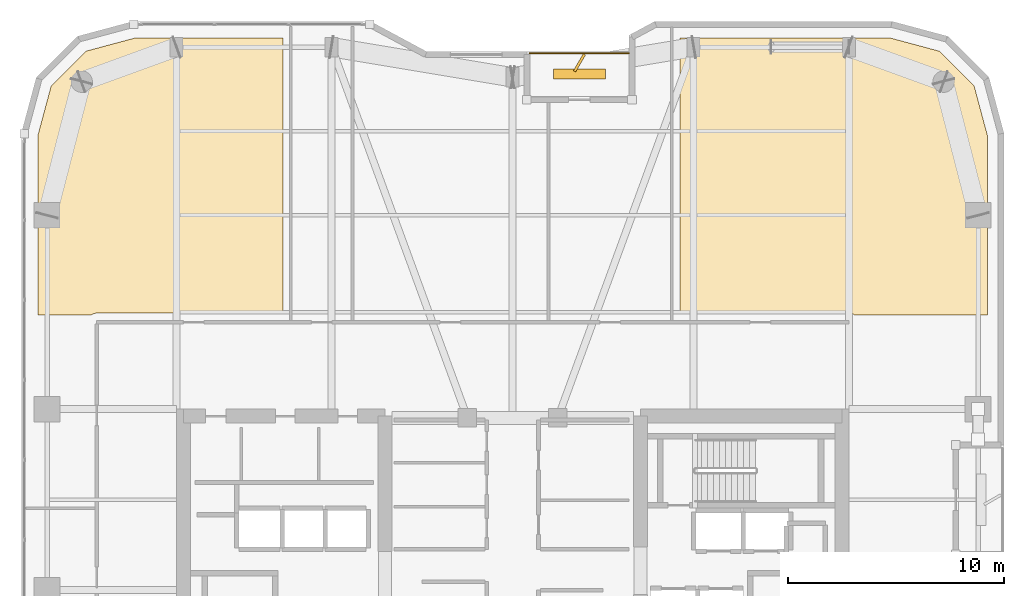
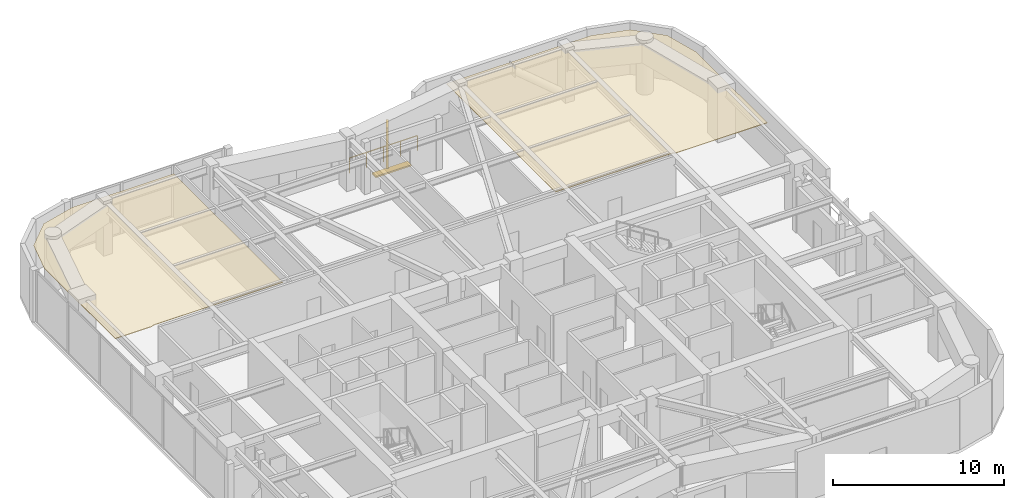
# One storey, part 21 of 21: 2 coverings, 2 shading devices, 1 railing.
"""IFC4 building model written with IfcOpenShell, lengths in metres."""

from ifc_helpers import new_model, si_unit, direction, frame, origin, origin_2d, place, context, subcontext, project, spatial, polyline, rectangle, outline, extrude, material, layer, layer_set, type_object, element, save


model = new_model("IFC4")

# Units and contexts
model_context = context("Model", 3, precision=1e-05, world=origin(), true_north=direction((0.0, 1.0)))
body_context = subcontext(model_context, "Body", "Model", "MODEL_VIEW")
ifc_project = project(units=[si_unit("LENGTHUNIT", "METRE"), si_unit("AREAUNIT", "SQUARE_METRE"), si_unit("VOLUMEUNIT", "CUBIC_METRE"), si_unit("PLANEANGLEUNIT", "RADIAN"), si_unit("MASSUNIT", "GRAM", prefix="KILO")], contexts=[model_context])

# Site, building, storey
site_placement = place(None, origin())
site = spatial("IfcSite", under=ifc_project, at=site_placement, CompositionType="ELEMENT")
building_placement = place(site_placement, origin())
building = spatial("IfcBuilding", under=site, at=building_placement, Name="Kiyonajd Concourse Tower", CompositionType="ELEMENT")
storey_placement = place(building_placement, frame((0.0, 0.0, 219.300048828125)))
storey = spatial("IfcBuildingStorey", under=building, at=storey_placement, Name="L55", CompositionType="ELEMENT", Elevation=219.300048828125)

# Coverings
ifc_material_1 = material(Name="Natural Oak Acoustic Timber Veneer", Category="wood")
ifc_layer = layer(ifc_material_1, 0.0400390625)
ifc_layer_set = layer_set([ifc_layer], Name="Natural Oak Acoustic Timber Veneer")
covering_type = type_object("IfcCoveringType", Name="CV-CLG-ACST", PredefinedType="CEILING", material=ifc_layer_set)
covering_1_placement = place(storey_placement, frame((0.0, 0.0, 3.5)))
element("IfcCovering", 1, at=covering_1_placement, inside=storey, type_object=covering_type, Name="L55-47 Room Acoustic Ceiling", PredefinedType="CEILING", context=body_context, shape_type="SweptSolid", body=[
    extrude(outline(polyline([(28.197998046875, 61.011962890625), (30.5009765625, 61.6298828125), (37.35009765625, 61.6298828125), (37.35009765625, 48.860107421875), (28.699951171875, 48.860107421875), (28.570068359375, 48.840087890625), (28.507080078125, 48.81396484375), (28.451904296875, 48.780029296875), (25.969970703125, 48.780029296875), (25.969970703125, 57.09912109375), (26.587890625, 59.402099609375), (28.197998046875, 61.011962890625)])), origin(), (0.0, 0.0, 1.0), 0.0400390625),
])
covering_2_placement = place(storey_placement, frame((0.0, 0.0, 3.5)))
element("IfcCovering", 2, at=covering_2_placement, inside=storey, type_object=covering_type, Name="L55-51 Room Acoustic Ceiling", PredefinedType="CEILING", context=body_context, shape_type="SweptSolid", body=[
    extrude(outline(polyline([(63.847900390625, 48.780029296875), (63.79296875, 48.81396484375), (63.72998046875, 48.840087890625), (63.60009765625, 48.860107421875), (55.760009765625, 48.860107421875), (55.760009765625, 61.6298828125), (65.4990234375, 61.6298828125), (67.802001953125, 61.011962890625), (69.412109375, 59.402099609375), (70.030029296875, 57.09912109375), (70.030029296875, 48.780029296875), (63.847900390625, 48.780029296875)])), origin(), (0.0, 0.0, 1.0), 0.0400390625),
])

# Railing
ifc_material_2 = material(Name="Thermally Broken Anodised Aluminium", Category="aluminium")
railing_type = type_object("IfcRailingType", Name="RL-GRD-LOG", PredefinedType="GUARDRAIL", material=ifc_material_2)
railing_placement = place(storey_placement, frame((53.39990234375, 60.919921875, 0.0)))
element("IfcRailing", 3, at=railing_placement, inside=storey, type_object=railing_type, Name="L55 Engawa Loggia Perimeter Guard LOG-N", PredefinedType="GUARDRAIL", context=body_context, shape_type="SweptSolid", body=[
    extrude(rectangle(XDim=0.048095703125, YDim=0.048095703125, at=origin_2d()), frame((0.0, 0.0, 1.076171875), z_axis=(-1.0, 0.0, 0.0), x_axis=(0.0, -1.0, 0.0)), (0.0, 0.0, 1.0), 4.599853515625),
    extrude(rectangle(XDim=0.0419921875, YDim=0.0419921875, at=origin_2d()), origin(), (0.0, 0.0, 1.0), 1.052001953125),
    extrude(rectangle(XDim=0.0419921875, YDim=0.0419921875, at=origin_2d()), frame((-1.14990234375, 0.0, 0.0)), (0.0, 0.0, 1.0), 1.052001953125),
    extrude(rectangle(XDim=0.0419921875, YDim=0.0419921875, at=origin_2d()), frame((-2.2998046875, 0.0, 0.0)), (0.0, 0.0, 1.0), 1.052001953125),
    extrude(rectangle(XDim=0.0419921875, YDim=0.0419921875, at=origin_2d()), frame((-3.449951171875, 0.0, 0.0)), (0.0, 0.0, 1.0), 1.052001953125),
    extrude(rectangle(XDim=0.0419921875, YDim=0.0419921875, at=origin_2d()), frame((-4.599853515625, 0.0, 0.0)), (0.0, 0.0, 1.0), 1.052001953125),
])

# Shading devices
ifc_material_3 = material(Name="Precast concrete C50/60", Category="concrete")
shading_device_type_1 = type_object("IfcShadingDeviceType", Name="SH-FIN-900", PredefinedType="USERDEFINED", material=ifc_material_3)
shading_device_1_placement = place(storey_placement, frame((51.10009765625, 60.469970703125, 0.0), z_axis=(0.0, 0.0, 1.0), x_axis=(0.5, 0.866025403784, 0.0)))
element("IfcShadingDevice", 4, at=shading_device_1_placement, inside=storey, type_object=shading_device_type_1, Name="L55 Angled Koshi Solar Fin LOG-N", ObjectType="FIN", PredefinedType="USERDEFINED", context=body_context, shape_type="SweptSolid", body=[
    extrude(rectangle(XDim=0.89990234375, YDim=0.1201171875, at=origin_2d()), origin(), (0.0, 0.0, 1.0), 3.0),
])
shading_device_type_2 = type_object("IfcShadingDeviceType", Name="SH-LVR-600", PredefinedType="JALOUSIE", material=ifc_material_2)
shading_device_2_placement = place(storey_placement, frame((51.10009765625, 59.949951171875, 0.0), z_axis=(0.0, 0.0, 1.0), x_axis=(1.0, 0.0, 0.0)))
element("IfcShadingDevice", 5, at=shading_device_2_placement, inside=storey, type_object=shading_device_type_2, Name="L55 Loggia Threshold Louver LOG-N", PredefinedType="JALOUSIE", context=body_context, shape_type="SweptSolid", body=[
    extrude(rectangle(XDim=2.39990234375, YDim=0.449951171875, at=origin_2d()), origin(), (0.0, 0.0, 1.0), 0.10009765625),
])

save(model, "model.ifc")
